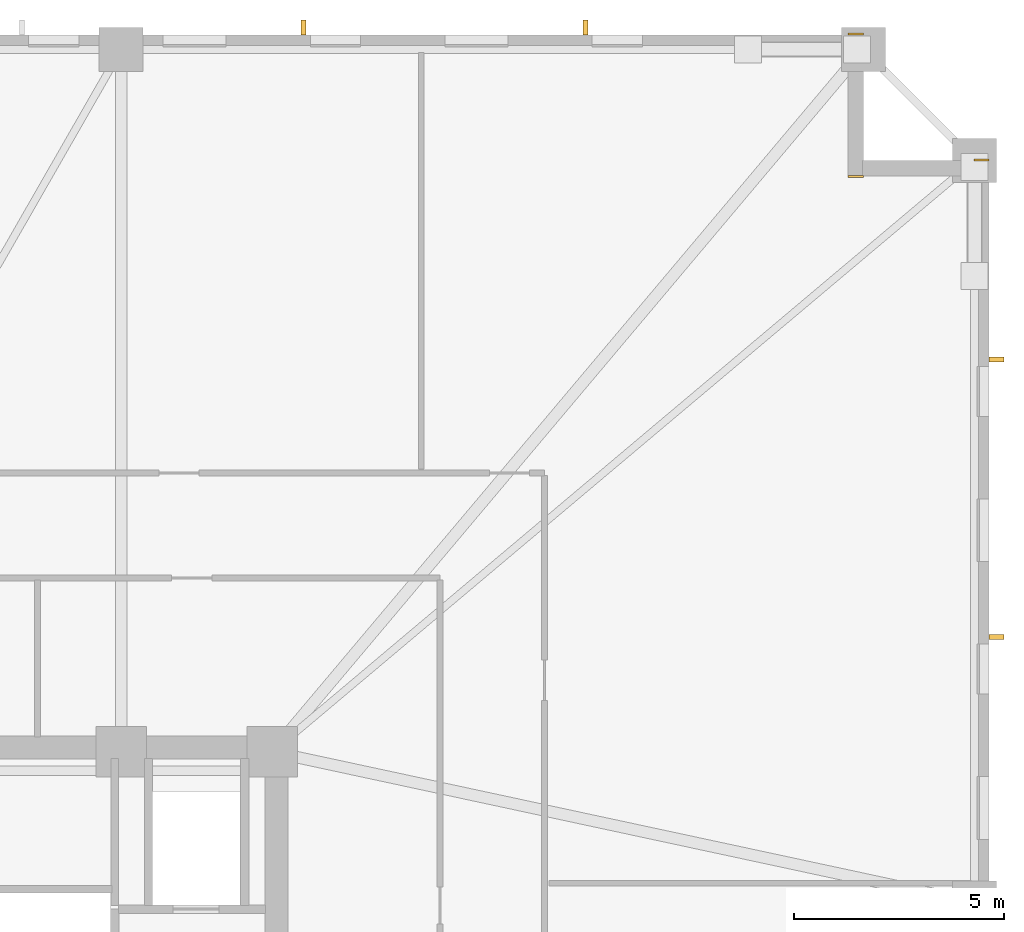
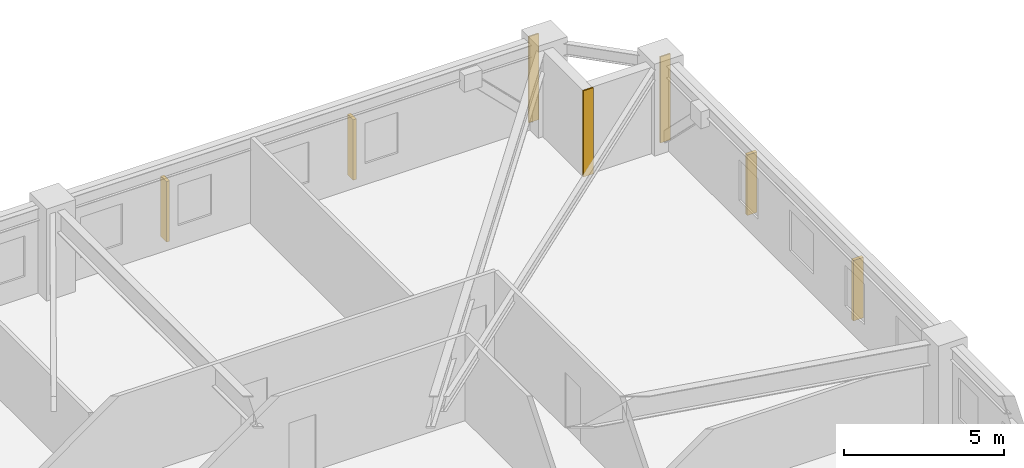
# One storey, part 11 of 11: 4 shading devices, 3 coverings.
"""IFC4 building model written with IfcOpenShell, lengths in metres."""

from ifc_helpers import new_model, si_unit, direction, frame, frame_2d, origin, origin_2d, place, context, subcontext, project, spatial, rectangle, extrude, material, layer, layer_set, type_object, element, save


model = new_model("IFC4")

# Units and contexts
model_context = context("Model", 3, precision=1e-05, world=origin(), true_north=direction((0.0, 1.0)))
body_context = subcontext(model_context, "Body", "Model", "MODEL_VIEW")
ifc_project = project(units=[si_unit("LENGTHUNIT", "METRE"), si_unit("AREAUNIT", "SQUARE_METRE"), si_unit("VOLUMEUNIT", "CUBIC_METRE"), si_unit("PLANEANGLEUNIT", "RADIAN"), si_unit("MASSUNIT", "GRAM", prefix="KILO")], contexts=[model_context])

# Site, building, storey
site_placement = place(None, origin())
site = spatial("IfcSite", under=ifc_project, at=site_placement, CompositionType="ELEMENT")
building_placement = place(site_placement, origin())
building = spatial("IfcBuilding", under=site, at=building_placement, Name="Cairnveth Concourse Tower", CompositionType="ELEMENT")
storey_placement = place(building_placement, frame((0.0, 0.0, 62.0)))
storey = spatial("IfcBuildingStorey", under=building, at=storey_placement, Name="L16", CompositionType="ELEMENT", Elevation=62.0)

# Coverings
ifc_material_1 = material(Name="Dressed Melbourne Bluestone Cladding", Category="masonry")
ifc_layer = layer(ifc_material_1, 0.050048828125)
ifc_layer_set = layer_set([ifc_layer], Name="Dressed Melbourne Bluestone Cladding")
covering_type = type_object("IfcCoveringType", Name="DRESSED BLUESTONE PLINTH CLADDING 50", PredefinedType="CLADDING", material=ifc_layer_set)
for number, where, z_axis, x_axis, name in (
    (1, (74.139892578125, 64.52001953125, 0.0), (0.0, 0.0, 1.0), (1.0, 0.0, 0.0), "Melbourne Bluestone Corner Quoin L16-209"),
    (2, (74.139892578125, 61.1201171875, 0.0), (0.0, 0.0, 1.0), (1.0, 0.0, 0.0), "Melbourne Bluestone Corner Quoin L16-210"),
    (3, (77.139892578125, 61.52001953125, 0.0), (0.0, 0.0, 1.0), (1.0, 0.0, 0.0), "Melbourne Bluestone Corner Quoin L16-211"),
):
    element("IfcCovering", number, at=place(storey_placement, frame(where, z_axis=z_axis, x_axis=x_axis)), inside=storey, type_object=covering_type, Name=name, PredefinedType="CLADDING", context=body_context, shape_type="SweptSolid", body=[
        extrude(rectangle(XDim=0.360107421875, YDim=0.050048828125, at=frame_2d((0.18017578125, 0.0))), origin(), (0.0, 0.0, 1.0), 3.280029296875),
    ])

# Shading devices
ifc_material_2 = material(Name="Architectural Bronze Anodised Aluminium 6063-T6", Category="aluminium")
shading_device_type = type_object("IfcShadingDeviceType", Name="GOTHIC BRONZE VERTICAL LANCET FIN", PredefinedType="USERDEFINED", material=ifc_material_2)
for number, where, z_axis, x_axis, name in (
    (4, (61.151611328125, 64.675048828125, 0.02978515625), (0.0, 0.0, 1.0), (1.0, 0.0, 0.0), "Gothic Bronze Vertical Fin L16-9-9"),
    (5, (67.871826171875, 64.675048828125, 0.02978515625), (0.0, 0.0, 1.0), (1.0, 0.0, 0.0), "Gothic Bronze Vertical Fin L16-9-11"),
    (6, (77.675048828125, 56.7548828125, 0.02978515625), (0.0, 0.0, 1.0), (0.0, 1.0, 0.0), "Gothic Bronze Vertical Fin L16-12-1"),
    (7, (77.675048828125, 50.13427734375, 0.02978515625), (0.0, 0.0, 1.0), (0.0, 1.0, 0.0), "Gothic Bronze Vertical Fin L16-12-3"),
):
    element("IfcShadingDevice", number, at=place(storey_placement, frame(where, z_axis=z_axis, x_axis=x_axis)), inside=storey, type_object=shading_device_type, Name=name, ObjectType="VERTICAL FIN", PredefinedType="USERDEFINED", context=body_context, shape_type="SweptSolid", body=[
        extrude(rectangle(XDim=0.1201171875, YDim=0.360107421875, at=origin_2d()), origin(), (0.0, 0.0, 1.0), 2.303955078125),
    ])

save(model, "model.ifc")
